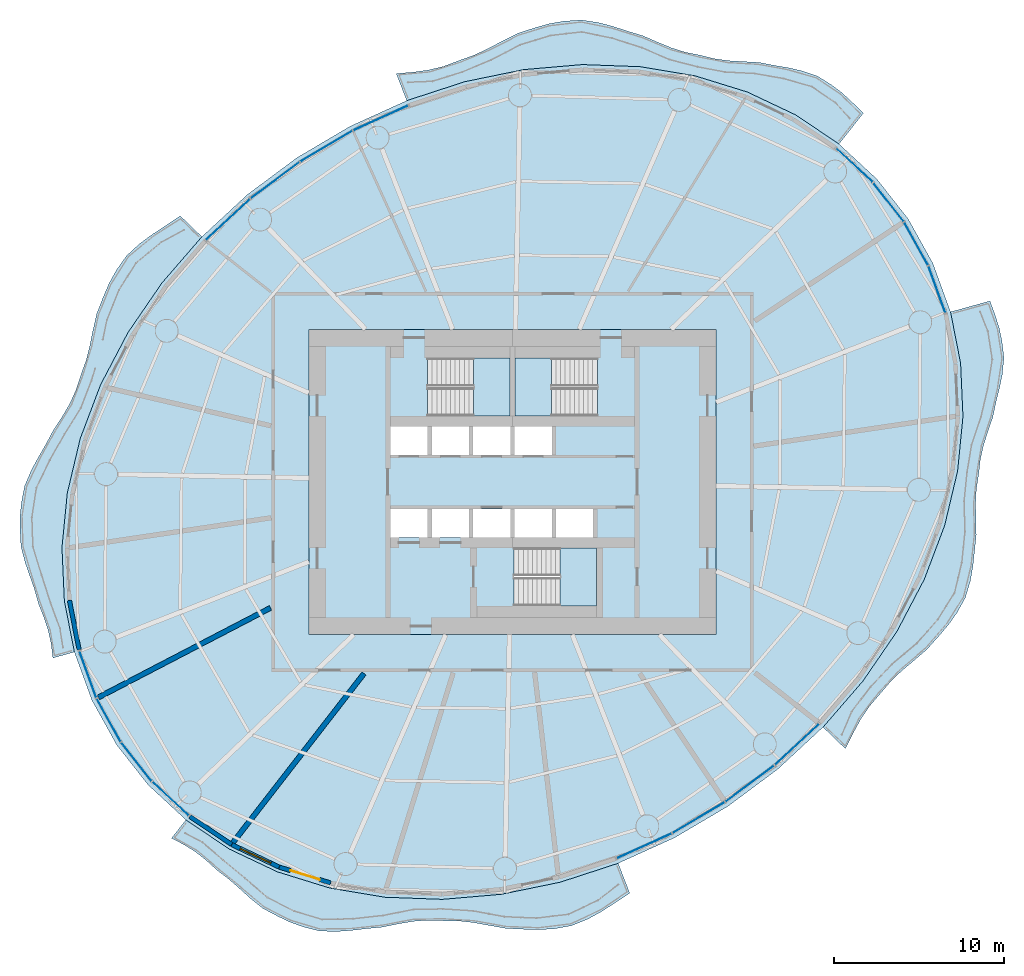
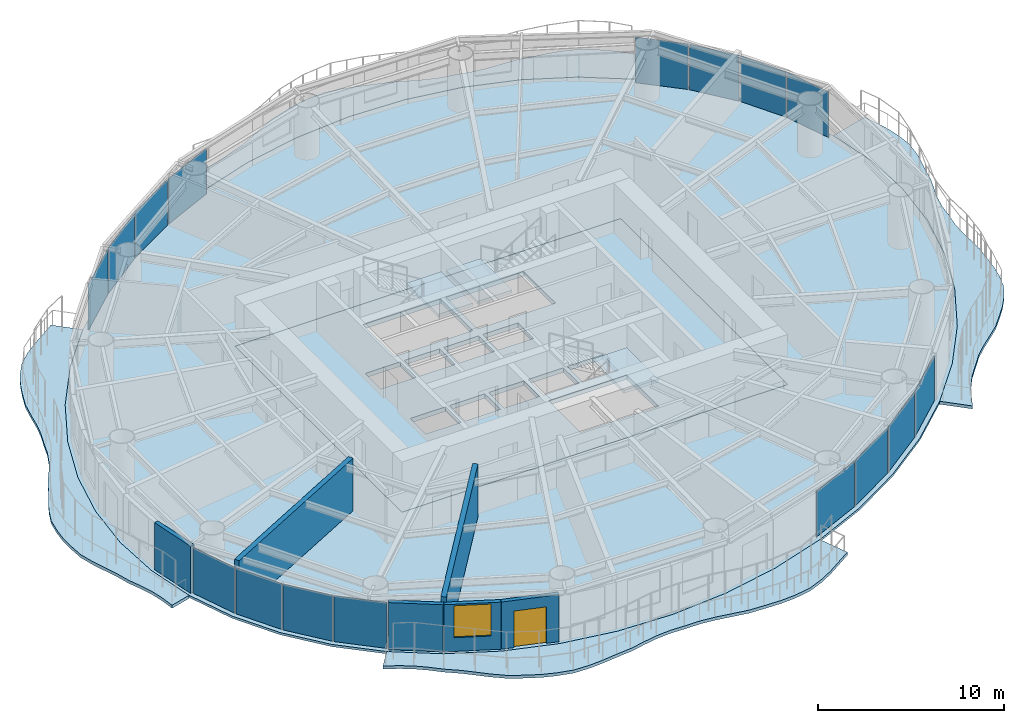
# One storey, part 7 of 15: 16 plates, 9 slabs, 6 walls, 1 door, 1 window, 2 openings, 19 elements without a shape of their own.
"""IFC4 building model written with IfcOpenShell, lengths in metres."""

from ifc_helpers import new_model, si_unit, direction, frame, frame_2d, origin, origin_2d, place, context, subcontext, project, spatial, polyline, rectangle, outline, extrude, material, layer, layer_set, type_object, element, fill, aggregate, save


model = new_model("IFC4")

# Units and contexts
model_context = context("Model", 3, precision=1e-05, world=origin(), true_north=direction((0.0, 1.0)))
body_context = subcontext(model_context, "Body", "Model", "MODEL_VIEW")
ifc_project = project(units=[si_unit("LENGTHUNIT", "METRE"), si_unit("AREAUNIT", "SQUARE_METRE"), si_unit("VOLUMEUNIT", "CUBIC_METRE"), si_unit("PLANEANGLEUNIT", "RADIAN"), si_unit("MASSUNIT", "GRAM", prefix="KILO")], contexts=[model_context])

# Site, building, storey
site_placement = place(None, origin())
site = spatial("IfcSite", under=ifc_project, at=site_placement, CompositionType="ELEMENT")
building_placement = place(site_placement, origin())
building = spatial("IfcBuilding", under=site, at=building_placement, Name="Vermilion Reach Broadcast Tower", CompositionType="ELEMENT")
storey_placement = place(building_placement, frame((0.0, 0.0, 168.60009765625)))
storey = spatial("IfcBuildingStorey", under=building, at=storey_placement, Name="L40", CompositionType="ELEMENT", Elevation=168.60009765625)

# Slabs
ifc_material_1 = material(Name="Concrete C40/50", Category="concrete")
ifc_layer_1 = layer(ifc_material_1, 0.199951171875)
ifc_layer_set_1 = layer_set([ifc_layer_1], Name="Balcony slab 200")
slab_type_1 = type_object("IfcSlabType", Name="Balcony slab 200", PredefinedType="FLOOR", material=ifc_layer_set_1)
placement_1 = place(storey_placement, frame((0.0, 0.0, -0.2001953125)))
element("IfcSlab", 1, at=placement_1, inside=storey, type_object=slab_type_1, Name="Balcony slab L40 group 1", PredefinedType="FLOOR", context=body_context, shape_type="SweptSolid", body=[
    extrude(outline(polyline([(13.2509765625, 19.923828125), (10.6962890625, 21.640380859375), (7.85595703125, 22.986572265625), (4.778564453125, 23.939453125), (1.5166015625, 24.48291015625), (-1.873779296875, 24.607421875), (-5.3349609375, 24.310791015625), (-8.807373046875, 23.59814453125), (-12.231689453125, 22.48193359375), (-12.85107421875, 24.078857421875), (-11.833251953125, 24.1650390625), (-10.92724609375, 24.290771484375), (-10.051025390625, 24.50830078125), (-9.138671875, 24.849609375), (-8.22705078125, 25.1787109375), (-7.40234375, 25.568115234375), (-6.58642578125, 26.001220703125), (-5.647216796875, 26.46630859375), (-4.6748046875, 26.77978515625), (-3.82373046875, 27.018310546875), (-2.965087890625, 27.16943359375), (-1.93798828125, 27.23583984375), (-0.93408203125, 27.08544921875), (-0.093505859375, 26.865234375), (0.745361328125, 26.594482421875), (1.70068359375, 26.3017578125), (2.59326171875, 25.914794921875), (3.377685546875, 25.593017578125), (4.173828125, 25.3408203125), (5.067626953125, 25.15966796875), (5.934326171875, 24.94921875), (6.743408203125, 24.839111328125), (7.57080078125, 24.788330078125), (8.536865234375, 24.73486328125), (9.4697265625, 24.556640625), (10.27392578125, 24.418701171875), (11.059326171875, 24.24072265625), (11.993408203125, 23.920654296875), (12.812744140625, 23.41064453125), (13.426513671875, 22.9443359375), (13.99951171875, 22.41748046875), (14.6875, 21.740966796875), (13.2509765625, 19.923828125)])), origin(), (0.0, 0.0, 1.0), 0.2001953125),
])
element("IfcSlab", 2, at=placement_1, inside=storey, type_object=slab_type_1, Name="Balcony slab L40 group 2", PredefinedType="FLOOR", context=body_context, shape_type="SweptSolid", body=[
    extrude(outline(polyline([(-24.310302734375, 14.45703125), (-26.66650390625, 11.732666015625), (-28.6689453125, 8.8076171875), (-30.283447265625, 5.73193359375), (-31.482666015625, 2.55810546875), (-32.245849609375, -0.659423828125), (-32.559814453125, -3.86572265625), (-32.41943359375, -7.005615234375), (-31.826904296875, -10.02587890625), (-33.094482421875, -10.378173828125), (-33.204345703125, -9.511962890625), (-33.37109375, -8.760498046875), (-33.612060546875, -8.023681640625), (-33.93896484375, -7.187744140625), (-34.19091796875, -6.29833984375), (-34.46240234375, -5.52392578125), (-34.73095703125, -4.749267578125), (-34.977294921875, -3.801513671875), (-35.033935546875, -2.81396484375), (-35.03271484375, -2.0048828125), (-34.947265625, -1.2041015625), (-34.761474609375, -0.23974609375), (-34.366943359375, 0.693359375), (-33.958740234375, 1.446044921875), (-33.525146484375, 2.19287109375), (-33.07275390625, 3.044921875), (-32.5380859375, 3.86376953125), (-32.104736328125, 4.606689453125), (-31.7529296875, 5.38037109375), (-31.4619140625, 6.261474609375), (-31.13916015625, 7.161865234375), (-30.919189453125, 8.02734375), (-30.739501953125, 8.913818359375), (-30.510009765625, 9.915771484375), (-30.1357421875, 10.8857421875), (-29.779541015625, 11.7158203125), (-29.348876953125, 12.4951171875), (-28.750244140625, 13.3388671875), (-27.973388671875, 14.053466796875), (-27.2294921875, 14.6005859375), (-26.44482421875, 15.112548828125), (-25.5859375, 15.688720703125), (-24.310302734375, 14.45703125)])), origin(), (0.0, 0.0, 1.0), 0.2001953125),
])
element("IfcSlab", 3, at=placement_1, inside=storey, type_object=slab_type_1, Name="Balcony slab L40 group 3", PredefinedType="FLOOR", context=body_context, shape_type="SweptSolid", body=[
    extrude(outline(polyline([(-25.2509765625, -19.923828125), (-22.6962890625, -21.640380859375), (-19.85595703125, -22.986572265625), (-16.778564453125, -23.939453125), (-13.5166015625, -24.48291015625), (-10.126220703125, -24.607421875), (-6.6650390625, -24.310791015625), (-3.192626953125, -23.59814453125), (0.231689453125, -22.48193359375), (0.915283203125, -24.244384765625), (0.044921875, -24.81396484375), (-0.73681640625, -25.321044921875), (-1.539794921875, -25.762939453125), (-2.51416015625, -26.161376953125), (-3.5341796875, -26.342041015625), (-4.427978515625, -26.395751953125), (-5.337646484375, -26.37109375), (-6.37353515625, -26.32177734375), (-7.379638671875, -26.144287109375), (-8.26513671875, -25.982421875), (-9.1455078125, -25.88037109375), (-10.095458984375, -25.869140625), (-11.020263671875, -25.839599609375), (-11.871337890625, -25.90576171875), (-12.725341796875, -26.051513671875), (-13.6953125, -26.248779296875), (-14.664306640625, -26.34130859375), (-15.519287109375, -26.443359375), (-16.367919921875, -26.505615234375), (-17.379150390625, -26.473876953125), (-18.33154296875, -26.232177734375), (-19.0908203125, -25.961181640625), (-19.825927734375, -25.6123046875), (-20.698974609375, -25.150634765625), (-21.463134765625, -24.542724609375), (-22.071044921875, -23.990478515625), (-22.68359375, -23.4482421875), (-23.4091796875, -22.893798828125), (-24.065185546875, -22.2978515625), (-24.671875, -21.8212890625), (-25.322265625, -21.409423828125), (-26.102783203125, -21.001220703125), (-25.2509765625, -19.923828125)])), origin(), (0.0, 0.0, 1.0), 0.2001953125),
])
element("IfcSlab", 4, at=placement_1, inside=storey, type_object=slab_type_1, Name="Balcony slab L40 group 4", PredefinedType="FLOOR", context=body_context, shape_type="SweptSolid", body=[
    extrude(outline(polyline([(12.310302734375, -14.45703125), (14.66650390625, -11.732666015625), (16.6689453125, -8.8076171875), (18.283447265625, -5.73193359375), (19.482666015625, -2.55810546875), (20.245849609375, 0.659423828125), (20.559814453125, 3.86572265625), (20.41943359375, 7.005615234375), (19.826904296875, 10.02587890625), (22.152099609375, 10.671875), (22.48291015625, 9.762939453125), (22.711181640625, 9.0234375), (22.864501953125, 8.26953125), (22.978759765625, 7.312255859375), (22.87744140625, 6.3291015625), (22.712158203125, 5.53515625), (22.51513671875, 4.73974609375), (22.318603515625, 3.819091796875), (22.009521484375, 2.914306640625), (21.762939453125, 2.129150390625), (21.58740234375, 1.337158203125), (21.486328125, 0.452392578125), (21.34765625, -0.45166015625), (21.306396484375, -1.29150390625), (21.32373046875, -2.145263671875), (21.343994140625, -3.1279296875), (21.2373046875, -4.1279296875), (21.143798828125, -4.999267578125), (20.990966796875, -5.84814453125), (20.701904296875, -6.81884765625), (20.202392578125, -7.72021484375), (19.693603515625, -8.433837890625), (19.115234375, -9.111083984375), (18.435791015625, -9.871337890625), (17.6455078125, -10.550048828125), (16.9423828125, -11.142822265625), (16.288818359375, -11.76953125), (15.6669921875, -12.50390625), (15.034912109375, -13.24169921875), (14.528076171875, -13.993896484375), (14.08740234375, -14.803466796875), (13.625244140625, -15.7265625), (12.310302734375, -14.45703125)])), origin(), (0.0, 0.0, 1.0), 0.2001953125),
])
ifc_material_2 = material(Name="Concrete C40", Category="concrete")
ifc_layer_2 = layer(ifc_material_2, 0.300048828125)
ifc_layer_set_2 = layer_set([ifc_layer_2], Name="Core floor slab 300 mm Concrete C40")
slab_type_2 = type_object("IfcSlabType", Name="Core floor slab 300 mm Concrete C40", PredefinedType="FLOOR", material=ifc_layer_set_2)
slab_5_placement = place(storey_placement, frame((0.0, 0.0, -0.300048828125)))
element("IfcSlab", 5, at=slab_5_placement, inside=storey, type_object=slab_type_2, Name="L40 core floor", PredefinedType="FLOOR", context=body_context, shape_type="SweptSolid", body=[
    extrude(outline(polyline([(-18.0, -9.0), (6.0, -9.0), (6.0, 9.0), (-18.0, 9.0), (-18.0, -9.0)]), holes=[polyline([(-13.199951171875, 1.60009765625), (-11.00830078125, 1.60009765625), (-11.00830078125, 3.280029296875), (-13.199951171875, 3.280029296875), (-13.199951171875, 1.60009765625)]), polyline([(-10.75830078125, 1.60009765625), (-8.566650390625, 1.60009765625), (-8.566650390625, 3.280029296875), (-10.75830078125, 3.280029296875), (-10.75830078125, 1.60009765625)]), polyline([(-8.316650390625, 1.60009765625), (-6.125, 1.60009765625), (-6.125, 3.280029296875), (-8.316650390625, 3.280029296875), (-8.316650390625, 1.60009765625)]), polyline([(-5.875, 1.60009765625), (-3.683349609375, 1.60009765625), (-3.683349609375, 3.280029296875), (-5.875, 3.280029296875), (-5.875, 1.60009765625)]), polyline([(-13.199951171875, -3.280029296875), (-11.00830078125, -3.280029296875), (-11.00830078125, -1.60009765625), (-13.199951171875, -1.60009765625), (-13.199951171875, -3.280029296875)]), polyline([(-10.75830078125, -3.280029296875), (-8.566650390625, -3.280029296875), (-8.566650390625, -1.60009765625), (-10.75830078125, -1.60009765625), (-10.75830078125, -3.280029296875)]), polyline([(-8.316650390625, -3.280029296875), (-6.125, -3.280029296875), (-6.125, -1.60009765625), (-8.316650390625, -1.60009765625), (-8.316650390625, -3.280029296875)]), polyline([(-5.875, -3.280029296875), (-3.683349609375, -3.280029296875), (-3.683349609375, -1.60009765625), (-5.875, -1.60009765625), (-5.875, -3.280029296875)]), polyline([(-3.433349609375, -3.280029296875), (-1.24169921875, -3.280029296875), (-1.24169921875, -1.60009765625), (-3.433349609375, -1.60009765625), (-3.433349609375, -3.280029296875)]), polyline([(-10.999267578125, 3.8798828125), (-6.14990234375, 3.8798828125), (-6.14990234375, 7.300048828125), (-10.999267578125, 7.300048828125), (-10.999267578125, 3.8798828125)]), polyline([(-1.000732421875, 7.300048828125), (-5.85009765625, 7.300048828125), (-5.85009765625, 3.8798828125), (-1.000732421875, 3.8798828125), (-1.000732421875, 7.300048828125)]), polyline([(-5.8994140625, -7.300048828125), (-1.050048828125, -7.300048828125), (-1.050048828125, -3.8798828125), (-5.8994140625, -3.8798828125), (-5.8994140625, -7.300048828125)])]), origin(), (0.0, 0.0, 1.0), 0.300048828125),
])

# Stair, slab
ifc_material_3 = material(Name="Concrete C40", Category="concrete")
stair_type = type_object("IfcStairType", Name="Exit stair RC 22 risers 164 mm", PredefinedType="HALF_TURN_STAIR", material=ifc_material_3)
placement_2 = place(storey_placement, origin())
stair_1 = element("IfcStair", 6, at=placement_2, inside=storey, type_object=stair_type, Name="L40 Exit stair ST1", PredefinedType="HALF_TURN_STAIR")
ifc_material_4 = material(Name="Concrete C40", Category="concrete")
ifc_layer_3 = layer(ifc_material_4, 0.199951171875)
ifc_layer_set_3 = layer_set([ifc_layer_3], Name="Exit stair landing Concrete C40")
slab_type_3 = type_object("IfcSlabType", Name="Exit stair landing Concrete C40", PredefinedType="LANDING", material=ifc_layer_set_3)
placement_3 = place(storey_placement, frame((0.0, 0.0, 1.599853515625)))
slab_6 = element("IfcSlab", 7, at=placement_3, type_object=slab_type_3, Name="ST1 landing 1", PredefinedType="LANDING", context=body_context, shape_type="SweptSolid", body=[
    extrude(outline(polyline([(-8.300048828125, 3.8798828125), (-6.14990234375, 3.8798828125), (-6.14990234375, 7.300048828125), (-8.300048828125, 7.300048828125), (-8.300048828125, 3.8798828125)])), origin(), (0.0, 0.0, 1.0), 0.199951171875),
])
aggregate(stair_1, [slab_6])

stair_2 = element("IfcStair", 8, at=placement_2, inside=storey, type_object=stair_type, Name="L40 Exit stair ST2", PredefinedType="HALF_TURN_STAIR")
slab_7 = element("IfcSlab", 9, at=placement_3, type_object=slab_type_3, Name="ST2 landing 1", PredefinedType="LANDING", context=body_context, shape_type="SweptSolid", body=[
    extrude(outline(polyline([(-3.699951171875, 7.300048828125), (-5.85009765625, 7.300048828125), (-5.85009765625, 3.8798828125), (-3.699951171875, 3.8798828125), (-3.699951171875, 7.300048828125)])), origin(), (0.0, 0.0, 1.0), 0.199951171875),
])
aggregate(stair_2, [slab_7])

stair_3 = element("IfcStair", 10, at=placement_2, inside=storey, type_object=stair_type, Name="L40 Exit stair ST3", PredefinedType="HALF_TURN_STAIR")
slab_8 = element("IfcSlab", 11, at=placement_3, type_object=slab_type_3, Name="ST3 landing 1", PredefinedType="LANDING", context=body_context, shape_type="SweptSolid", body=[
    extrude(outline(polyline([(-3.199951171875, -7.300048828125), (-1.050048828125, -7.300048828125), (-1.050048828125, -3.8798828125), (-3.199951171875, -3.8798828125), (-3.199951171875, -7.300048828125)])), origin(), (0.0, 0.0, 1.0), 0.199951171875),
])
aggregate(stair_3, [slab_8])

# Slab
ifc_material_5 = material(Name="Concrete C40", Category="concrete")
ifc_layer_4 = layer(ifc_material_5, 0.14990234375)
ifc_layer_set_4 = layer_set([ifc_layer_4], Name="Floor slab Concrete C40 composite 150")
slab_type_4 = type_object("IfcSlabType", Name="Floor slab Concrete C40 composite 150", PredefinedType="FLOOR", material=ifc_layer_set_4)
slab_9_placement = place(storey_placement, frame((0.0, 0.0, -0.150146484375)))
element("IfcSlab", 12, at=slab_9_placement, inside=storey, type_object=slab_type_4, Name="Floor slab L40", PredefinedType="FLOOR", context=body_context, shape_type="SweptSolid", body=[
    extrude(outline(polyline([(17.333984375, 15.503173828125), (15.476318359375, 17.8662109375), (13.2509765625, 19.923828125), (10.6962890625, 21.640380859375), (7.85595703125, 22.986572265625), (4.778564453125, 23.939453125), (1.5166015625, 24.48291015625), (-1.873779296875, 24.607421875), (-5.3349609375, 24.310791015625), (-8.807373046875, 23.59814453125), (-12.231689453125, 22.48193359375), (-15.549560546875, 20.98095703125), (-18.703857421875, 19.120849609375), (-21.640869140625, 16.933837890625), (-24.310302734375, 14.45703125), (-26.66650390625, 11.732666015625), (-28.6689453125, 8.8076171875), (-30.283447265625, 5.73193359375), (-31.482666015625, 2.55810546875), (-32.245849609375, -0.659423828125), (-32.559814453125, -3.86572265625), (-32.41943359375, -7.005615234375), (-31.826904296875, -10.02587890625), (-30.792724609375, -12.874755859375), (-29.333984375, -15.503173828125), (-27.476318359375, -17.8662109375), (-25.2509765625, -19.923828125), (-22.6962890625, -21.640380859375), (-19.85595703125, -22.986572265625), (-16.778564453125, -23.939453125), (-13.5166015625, -24.48291015625), (-10.126220703125, -24.607421875), (-6.6650390625, -24.310791015625), (-3.192626953125, -23.59814453125), (0.231689453125, -22.48193359375), (3.549560546875, -20.98095703125), (6.703857421875, -19.120849609375), (9.640869140625, -16.933837890625), (12.310302734375, -14.45703125), (14.66650390625, -11.732666015625), (16.6689453125, -8.8076171875), (18.283447265625, -5.73193359375), (19.482666015625, -2.55810546875), (20.245849609375, 0.659423828125), (20.559814453125, 3.86572265625), (20.41943359375, 7.005615234375), (19.826904296875, 10.02587890625), (18.792724609375, 12.874755859375), (17.333984375, 15.503173828125)]), holes=[polyline([(-18.0, -9.0), (6.0, -9.0), (6.0, 9.0), (-18.0, 9.0), (-18.0, -9.0)])]), origin(), (0.0, 0.0, 1.0), 0.150146484375),
])

# Curtain wall, plate
ifc_material_6 = material(Name="Low-e laminated clear glass in aluminium frame", Category="aluminium")
curtain_wall_type = type_object("IfcCurtainWallType", Name="Slot curtain wall", PredefinedType="NOTDEFINED", material=ifc_material_6)
curtain_wall_1 = element("IfcCurtainWall", 13, at=placement_2, inside=storey, type_object=curtain_wall_type, Name="Slot curtain wall L40 46", PredefinedType="NOTDEFINED")
ifc_material_7 = material(Name="Low-e laminated clear glass", Category="glass")
ifc_layer_5 = layer(ifc_material_7, 0.028076171875)
ifc_layer_set_5 = layer_set([ifc_layer_5], Name="Slot glass panel")
plate_type = type_object("IfcPlateType", Name="Slot glass panel", PredefinedType="CURTAIN_PANEL", material=ifc_layer_set_5)
plate_1_placement = place(storey_placement, frame((19.02880859375, 11.34814453125, 0.0), z_axis=(0.0, 0.0, 1.0), x_axis=(-0.341289910845, 0.939958082446, 0.0)))
plate_1 = element("IfcPlate", 14, at=plate_1_placement, type_object=plate_type, Name="Slot glass panel L40 46", PredefinedType="CURTAIN_PANEL", context=body_context, shape_type="SweptSolid", body=[
    extrude(rectangle(XDim=2.90380859375, YDim=0.028076171875, at=origin_2d()), origin(), (0.0, 0.0, 1.0), 3.0),
])
aggregate(curtain_wall_1, [plate_1])

curtain_wall_2 = element("IfcCurtainWall", 15, at=placement_2, inside=storey, type_object=curtain_wall_type, Name="Slot curtain wall L40 47", PredefinedType="NOTDEFINED")
plate_2_placement = place(storey_placement, frame((17.8017578125, 14.043701171875, 0.0), z_axis=(0.0, 0.0, 1.0), x_axis=(-0.485218008817, 0.874393208986, 0.0)))
plate_2 = element("IfcPlate", 16, at=plate_2_placement, type_object=plate_type, Name="Slot glass panel L40 47", PredefinedType="CURTAIN_PANEL", context=body_context, shape_type="SweptSolid", body=[
    extrude(rectangle(XDim=2.878173828125, YDim=0.028076171875, at=origin_2d()), origin(), (0.0, 0.0, 1.0), 3.0),
])
aggregate(curtain_wall_2, [plate_2])

curtain_wall_3 = element("IfcCurtainWall", 17, at=placement_2, inside=storey, type_object=curtain_wall_type, Name="Slot curtain wall L40 00", PredefinedType="NOTDEFINED")
plate_3_placement = place(storey_placement, frame((16.169921875, 16.5, 0.0), z_axis=(0.0, 0.0, 1.0), x_axis=(-0.618041179493, 0.786145724692, 0.0)))
plate_3 = element("IfcPlate", 18, at=plate_3_placement, type_object=plate_type, Name="Slot glass panel L40 00", PredefinedType="CURTAIN_PANEL", context=body_context, shape_type="SweptSolid", body=[
    extrude(rectangle(XDim=2.878173828125, YDim=0.028076171875, at=origin_2d()), origin(), (0.0, 0.0, 1.0), 3.0),
])
aggregate(curtain_wall_3, [plate_3])

curtain_wall_4 = element("IfcCurtainWall", 19, at=placement_2, inside=storey, type_object=curtain_wall_type, Name="Slot curtain wall L40 01", PredefinedType="NOTDEFINED")
plate_4_placement = place(storey_placement, frame((14.160400390625, 18.675537109375, 0.0), z_axis=(0.0, 0.0, 1.0), x_axis=(-0.734257650342, 0.678870902981, 0.0)))
plate_4 = element("IfcPlate", 20, at=plate_4_placement, type_object=plate_type, Name="Slot glass panel L40 01", PredefinedType="CURTAIN_PANEL", context=body_context, shape_type="SweptSolid", body=[
    extrude(rectangle(XDim=2.90380859375, YDim=0.028076171875, at=origin_2d()), origin(), (0.0, 0.0, 1.0), 3.0),
])
aggregate(curtain_wall_4, [plate_4])

curtain_wall_5 = element("IfcCurtainWall", 21, at=placement_2, inside=storey, type_object=curtain_wall_type, Name="Slot curtain wall L40 10", PredefinedType="NOTDEFINED")
plate_5_placement = place(storey_placement, frame((-13.767333984375, 21.45849609375, 0.0), z_axis=(0.0, 0.0, 1.0), x_axis=(-0.911098114102, -0.412189551639, 0.0)))
plate_5 = element("IfcPlate", 22, at=plate_5_placement, type_object=plate_type, Name="Slot glass panel L40 10", PredefinedType="CURTAIN_PANEL", context=body_context, shape_type="SweptSolid", body=[
    extrude(rectangle(XDim=3.529052734375, YDim=0.028076171875, at=origin_2d()), origin(), (0.0, 0.0, 1.0), 3.0),
])
aggregate(curtain_wall_5, [plate_5])

curtain_wall_6 = element("IfcCurtainWall", 23, at=placement_2, inside=storey, type_object=curtain_wall_type, Name="Slot curtain wall L40 11", PredefinedType="NOTDEFINED")
plate_6_placement = place(storey_placement, frame((-16.974609375, 19.79296875, 0.0), z_axis=(0.0, 0.0, 1.0), x_axis=(-0.861401562494, -0.507924549645, 0.0)))
plate_6 = element("IfcPlate", 24, at=plate_6_placement, type_object=plate_type, Name="Slot glass panel L40 11", PredefinedType="CURTAIN_PANEL", context=body_context, shape_type="SweptSolid", body=[
    extrude(rectangle(XDim=3.5498046875, YDim=0.028076171875, at=origin_2d()), origin(), (0.0, 0.0, 1.0), 3.0),
])
aggregate(curtain_wall_6, [plate_6])

curtain_wall_7 = element("IfcCurtainWall", 25, at=placement_2, inside=storey, type_object=curtain_wall_type, Name="Slot curtain wall L40 12", PredefinedType="NOTDEFINED")
plate_7_placement = place(storey_placement, frame((-19.993408203125, 17.787109375, 0.0), z_axis=(0.0, 0.0, 1.0), x_axis=(-0.802043410794, -0.597265742531, 0.0)))
plate_7 = element("IfcPlate", 26, at=plate_7_placement, type_object=plate_type, Name="Slot glass panel L40 12", PredefinedType="CURTAIN_PANEL", context=body_context, shape_type="SweptSolid", body=[
    extrude(rectangle(XDim=3.5498046875, YDim=0.028076171875, at=origin_2d()), origin(), (0.0, 0.0, 1.0), 3.0),
])
aggregate(curtain_wall_7, [plate_7])

curtain_wall_8 = element("IfcCurtainWall", 27, at=placement_2, inside=storey, type_object=curtain_wall_type, Name="Slot curtain wall L40 13", PredefinedType="NOTDEFINED")
plate_8_placement = place(storey_placement, frame((-22.771728515625, 15.475830078125, 0.0), z_axis=(0.0, 0.0, 1.0), x_axis=(-0.73304704362, -0.680177941307, 0.0)))
plate_8 = element("IfcPlate", 28, at=plate_8_placement, type_object=plate_type, Name="Slot glass panel L40 13", PredefinedType="CURTAIN_PANEL", context=body_context, shape_type="SweptSolid", body=[
    extrude(rectangle(XDim=3.529052734375, YDim=0.028076171875, at=origin_2d()), origin(), (0.0, 0.0, 1.0), 3.0),
])
aggregate(curtain_wall_8, [plate_8])

curtain_wall_9 = element("IfcCurtainWall", 29, at=placement_2, inside=storey, type_object=curtain_wall_type, Name="Slot curtain wall L40 22", PredefinedType="NOTDEFINED")
plate_9_placement = place(storey_placement, frame((-31.02880859375, -11.34814453125, 0.0), z_axis=(0.0, 0.0, 1.0), x_axis=(0.341289910845, -0.939958082446, 0.0)))
plate_9 = element("IfcPlate", 30, at=plate_9_placement, type_object=plate_type, Name="Slot glass panel L40 22", PredefinedType="CURTAIN_PANEL", context=body_context, shape_type="SweptSolid", body=[
    extrude(rectangle(XDim=2.90380859375, YDim=0.028076171875, at=origin_2d()), origin(), (0.0, 0.0, 1.0), 3.0),
])
aggregate(curtain_wall_9, [plate_9])

curtain_wall_10 = element("IfcCurtainWall", 31, at=placement_2, inside=storey, type_object=curtain_wall_type, Name="Slot curtain wall L40 23", PredefinedType="NOTDEFINED")
plate_10_placement = place(storey_placement, frame((-29.8017578125, -14.043701171875, 0.0), z_axis=(0.0, 0.0, 1.0), x_axis=(0.485218008817, -0.874393208986, 0.0)))
plate_10 = element("IfcPlate", 32, at=plate_10_placement, type_object=plate_type, Name="Slot glass panel L40 23", PredefinedType="CURTAIN_PANEL", context=body_context, shape_type="SweptSolid", body=[
    extrude(rectangle(XDim=2.878173828125, YDim=0.028076171875, at=origin_2d()), origin(), (0.0, 0.0, 1.0), 3.0),
])
aggregate(curtain_wall_10, [plate_10])

curtain_wall_11 = element("IfcCurtainWall", 33, at=placement_2, inside=storey, type_object=curtain_wall_type, Name="Slot curtain wall L40 24", PredefinedType="NOTDEFINED")
plate_11_placement = place(storey_placement, frame((-28.169921875, -16.5, 0.0), z_axis=(0.0, 0.0, 1.0), x_axis=(0.618041179493, -0.786145724692, 0.0)))
plate_11 = element("IfcPlate", 34, at=plate_11_placement, type_object=plate_type, Name="Slot glass panel L40 24", PredefinedType="CURTAIN_PANEL", context=body_context, shape_type="SweptSolid", body=[
    extrude(rectangle(XDim=2.878173828125, YDim=0.028076171875, at=origin_2d()), origin(), (0.0, 0.0, 1.0), 3.0),
])
aggregate(curtain_wall_11, [plate_11])

curtain_wall_12 = element("IfcCurtainWall", 35, at=placement_2, inside=storey, type_object=curtain_wall_type, Name="Slot curtain wall L40 25", PredefinedType="NOTDEFINED")
plate_12_placement = place(storey_placement, frame((-26.160400390625, -18.675537109375, 0.0), z_axis=(0.0, 0.0, 1.0), x_axis=(0.734257650342, -0.678870902981, 0.0)))
plate_12 = element("IfcPlate", 36, at=plate_12_placement, type_object=plate_type, Name="Slot glass panel L40 25", PredefinedType="CURTAIN_PANEL", context=body_context, shape_type="SweptSolid", body=[
    extrude(rectangle(XDim=2.90380859375, YDim=0.028076171875, at=origin_2d()), origin(), (0.0, 0.0, 1.0), 3.0),
])
aggregate(curtain_wall_12, [plate_12])

curtain_wall_13 = element("IfcCurtainWall", 37, at=placement_2, inside=storey, type_object=curtain_wall_type, Name="Slot curtain wall L40 34", PredefinedType="NOTDEFINED")
plate_13_placement = place(storey_placement, frame((1.767333984375, -21.45849609375, 0.0), z_axis=(0.0, 0.0, 1.0), x_axis=(0.911098114102, 0.412189551639, 0.0)))
plate_13 = element("IfcPlate", 38, at=plate_13_placement, type_object=plate_type, Name="Slot glass panel L40 34", PredefinedType="CURTAIN_PANEL", context=body_context, shape_type="SweptSolid", body=[
    extrude(rectangle(XDim=3.529052734375, YDim=0.028076171875, at=origin_2d()), origin(), (0.0, 0.0, 1.0), 3.0),
])
aggregate(curtain_wall_13, [plate_13])

curtain_wall_14 = element("IfcCurtainWall", 39, at=placement_2, inside=storey, type_object=curtain_wall_type, Name="Slot curtain wall L40 35", PredefinedType="NOTDEFINED")
plate_14_placement = place(storey_placement, frame((4.974609375, -19.79296875, 0.0), z_axis=(0.0, 0.0, 1.0), x_axis=(0.861401562494, 0.507924549645, 0.0)))
plate_14 = element("IfcPlate", 40, at=plate_14_placement, type_object=plate_type, Name="Slot glass panel L40 35", PredefinedType="CURTAIN_PANEL", context=body_context, shape_type="SweptSolid", body=[
    extrude(rectangle(XDim=3.5498046875, YDim=0.028076171875, at=origin_2d()), origin(), (0.0, 0.0, 1.0), 3.0),
])
aggregate(curtain_wall_14, [plate_14])

curtain_wall_15 = element("IfcCurtainWall", 41, at=placement_2, inside=storey, type_object=curtain_wall_type, Name="Slot curtain wall L40 36", PredefinedType="NOTDEFINED")
plate_15_placement = place(storey_placement, frame((7.993408203125, -17.787109375, 0.0), z_axis=(0.0, 0.0, 1.0), x_axis=(0.802043410794, 0.597265742531, 0.0)))
plate_15 = element("IfcPlate", 42, at=plate_15_placement, type_object=plate_type, Name="Slot glass panel L40 36", PredefinedType="CURTAIN_PANEL", context=body_context, shape_type="SweptSolid", body=[
    extrude(rectangle(XDim=3.5498046875, YDim=0.028076171875, at=origin_2d()), origin(), (0.0, 0.0, 1.0), 3.0),
])
aggregate(curtain_wall_15, [plate_15])

curtain_wall_16 = element("IfcCurtainWall", 43, at=placement_2, inside=storey, type_object=curtain_wall_type, Name="Slot curtain wall L40 37", PredefinedType="NOTDEFINED")
plate_16_placement = place(storey_placement, frame((10.771728515625, -15.475830078125, 0.0), z_axis=(0.0, 0.0, 1.0), x_axis=(0.73304704362, 0.680177941307, 0.0)))
plate_16 = element("IfcPlate", 44, at=plate_16_placement, type_object=plate_type, Name="Slot glass panel L40 37", PredefinedType="CURTAIN_PANEL", context=body_context, shape_type="SweptSolid", body=[
    extrude(rectangle(XDim=3.529052734375, YDim=0.028076171875, at=origin_2d()), origin(), (0.0, 0.0, 1.0), 3.0),
])
aggregate(curtain_wall_16, [plate_16])

# Walls
ifc_material_8 = material(Name="Double-leaf plasterboard on isolated steel stud", Category="steel")
ifc_layer_6 = layer(ifc_material_8, 0.300048828125)
ifc_layer_set_6 = layer_set([ifc_layer_6], Name="Partition 300 acoustic double leaf")
wall_type_1 = type_object("IfcWallType", Name="Partition 300 acoustic double leaf", PredefinedType="PARTITIONING", material=ifc_layer_set_6)
wall_1_placement = place(storey_placement, frame((-30.40576171875, -12.69873046875, 0.0), z_axis=(0.0, 0.0, 1.0), x_axis=(0.887102031539, 0.461573380557, 0.0)))
element("IfcWall", 45, at=wall_1_placement, inside=storey, type_object=wall_type_1, Name="Partition 40.07", PredefinedType="PARTITIONING", context=body_context, shape_type="SweptSolid", body=[
    extrude(rectangle(XDim=11.426513671875, YDim=0.300048828125, at=frame_2d((5.71337890625, 0.0))), origin(), (0.0, 0.0, 1.0), 3.449951171875),
])
wall_2_placement = place(storey_placement, frame((-22.486328125, -21.270751953125, 0.0), z_axis=(0.0, 0.0, 1.0), x_axis=(0.612600962366, 0.790392346185, 0.0)))
element("IfcWall", 46, at=wall_2_placement, inside=storey, type_object=wall_type_1, Name="Partition 40.08", PredefinedType="PARTITIONING", context=body_context, shape_type="SweptSolid", body=[
    extrude(rectangle(XDim=12.625, YDim=0.300048828125, at=frame_2d((6.3125, 0.0))), origin(), (0.0, 0.0, 1.0), 3.449951171875),
])
ifc_material_9 = material(Name="Terracotta rainscreen cladding", Category="masonry")
ifc_layer_7 = layer(ifc_material_9, 0.25)
ifc_layer_set_7 = layer_set([ifc_layer_7], Name="Terracotta rainscreen wall 250")
wall_type_2 = type_object("IfcWallType", Name="Terracotta rainscreen wall 250", PredefinedType="SOLIDWALL", material=ifc_layer_set_7)
wall_3_placement = place(storey_placement, frame((-32.118896484375, -6.9833984375, 0.0), z_axis=(0.0, 0.0, 1.0), x_axis=(0.192503114172, -0.981296362489, 0.0)))
element("IfcWall", 47, at=wall_3_placement, inside=storey, type_object=wall_type_2, Name="External wall L40 21", PredefinedType="SOLIDWALL", context=body_context, shape_type="SweptSolid", body=[
    extrude(rectangle(XDim=2.9638671875, YDim=0.25, at=frame_2d((1.48193359375, 0.0))), origin(), (0.0, 0.0, 1.0), 3.099853515625),
])
wall_4_placement = place(storey_placement, frame((-25.019287109375, -19.718994140625, 0.0), z_axis=(0.0, 0.0, 1.0), x_axis=(0.830042449649, -0.557700216765, 0.0)))
element("IfcWall", 48, at=wall_4_placement, inside=storey, type_object=wall_type_2, Name="External wall L40 26", PredefinedType="SOLIDWALL", context=body_context, shape_type="SweptSolid", body=[
    extrude(rectangle(XDim=2.963623046875, YDim=0.25, at=frame_2d((1.48193359375, 0.0))), origin(), (0.0, 0.0, 1.0), 3.099853515625),
])

# Wall, opening, window
wall_5_placement = place(storey_placement, frame((-22.5361328125, -21.385009765625, 0.0), z_axis=(0.0, 0.0, 1.0), x_axis=(0.903619724227, -0.428335609058, 0.0)))
wall_5 = element("IfcWall", 49, at=wall_5_placement, inside=storey, type_object=wall_type_2, Name="External wall L40 27", PredefinedType="SOLIDWALL", context=body_context, shape_type="SweptSolid", body=[
    extrude(rectangle(XDim=3.0732421875, YDim=0.25, at=frame_2d((1.53662109375, 0.0))), origin(), (0.0, 0.0, 1.0), 3.099853515625),
])
opening_1_placement = place(wall_5_placement, frame((0.53662109375, 0.0, 0.89990234375)))
opening_1 = element("IfcOpeningElement", 50, at=opening_1_placement, cuts=wall_5, Name="Opening W03", PredefinedType="OPENING", context=body_context, shape_type="SweptSolid", body=[
    extrude(rectangle(XDim=2.0, YDim=2.10009765625, at=frame_2d((1.0, 1.050048828125))), frame((0.0, 0.135009765625, 0.0), z_axis=(0.0, -1.0, 0.0), x_axis=(1.0, 0.0, 0.0)), (0.0, 0.0, 1.0), 0.27001953125),
])
ifc_material_10 = material(Name="Low-e laminated clear glass in aluminium frame", Category="aluminium")
window_type = type_object("IfcWindowType", Name="Punched window 2000 x 2100 sill 900", PartitioningType="SINGLE_PANEL", PredefinedType="WINDOW", material=ifc_material_10)
window_placement = place(opening_1_placement, origin())
window = element("IfcWindow", 51, at=window_placement, inside=storey, type_object=window_type, Name="Window L40 27", OverallHeight=2.10009765625, OverallWidth=2.0, PartitioningType="SINGLE_PANEL", PredefinedType="WINDOW", context=body_context, shape_type="SweptSolid", body=[
    extrude(rectangle(XDim=2.0, YDim=2.10009765625, at=frame_2d((1.0, 1.050048828125))), frame((0.0, 0.030029296875, 0.0), z_axis=(0.0, -1.0, 0.0), x_axis=(1.0, 0.0, 0.0)), (0.0, 0.0, 1.0), 0.06005859375),
])
fill(opening_1, window)

# Wall, opening, door
wall_6_placement = place(storey_placement, frame((-19.73486328125, -22.710693359375, 0.0), z_axis=(0.0, 0.0, 1.0), x_axis=(0.955252052872, -0.295793028119, 0.0)))
wall_6 = element("IfcWall", 52, at=wall_6_placement, inside=storey, type_object=wall_type_2, Name="External wall L40 28", PredefinedType="SOLIDWALL", context=body_context, shape_type="SweptSolid", body=[
    extrude(rectangle(XDim=3.154541015625, YDim=0.25, at=frame_2d((1.5771484375, 0.0))), origin(), (0.0, 0.0, 1.0), 3.099853515625),
])
opening_2_placement = place(wall_6_placement, frame((0.677001953125, 0.0, 0.0)))
opening_2 = element("IfcOpeningElement", 53, at=opening_2_placement, cuts=wall_6, Name="Opening D70", PredefinedType="OPENING", context=body_context, shape_type="SweptSolid", body=[
    extrude(rectangle(XDim=1.800048828125, YDim=2.39990234375, at=frame_2d((0.89990234375, 1.199951171875))), frame((0.0, 0.135009765625, 0.0), z_axis=(0.0, -1.0, 0.0), x_axis=(1.0, 0.0, 0.0)), (0.0, 0.0, 1.0), 0.27001953125),
])
ifc_material_11 = material(Name="Low-e laminated clear glass in aluminium frame", Category="aluminium")
door_type = type_object("IfcDoorType", Name="Balcony sliding door 1800 x 2400", OperationType="DOUBLE_DOOR_SLIDING", PredefinedType="DOOR", material=ifc_material_11)
door_placement = place(opening_2_placement, origin())
door = element("IfcDoor", 54, at=door_placement, inside=storey, type_object=door_type, Name="Balcony door L40 run 07", OperationType="DOUBLE_DOOR_SLIDING", OverallHeight=2.39990234375, OverallWidth=1.800048828125, PredefinedType="DOOR", context=body_context, shape_type="SweptSolid", body=[
    extrude(rectangle(XDim=1.800048828125, YDim=2.39990234375, at=frame_2d((0.89990234375, 1.199951171875))), frame((0.0, 0.02490234375, 0.0), z_axis=(0.0, -1.0, 0.0), x_axis=(1.0, 0.0, 0.0)), (0.0, 0.0, 1.0), 0.050048828125),
])
fill(opening_2, door)

save(model, "model.ifc")
